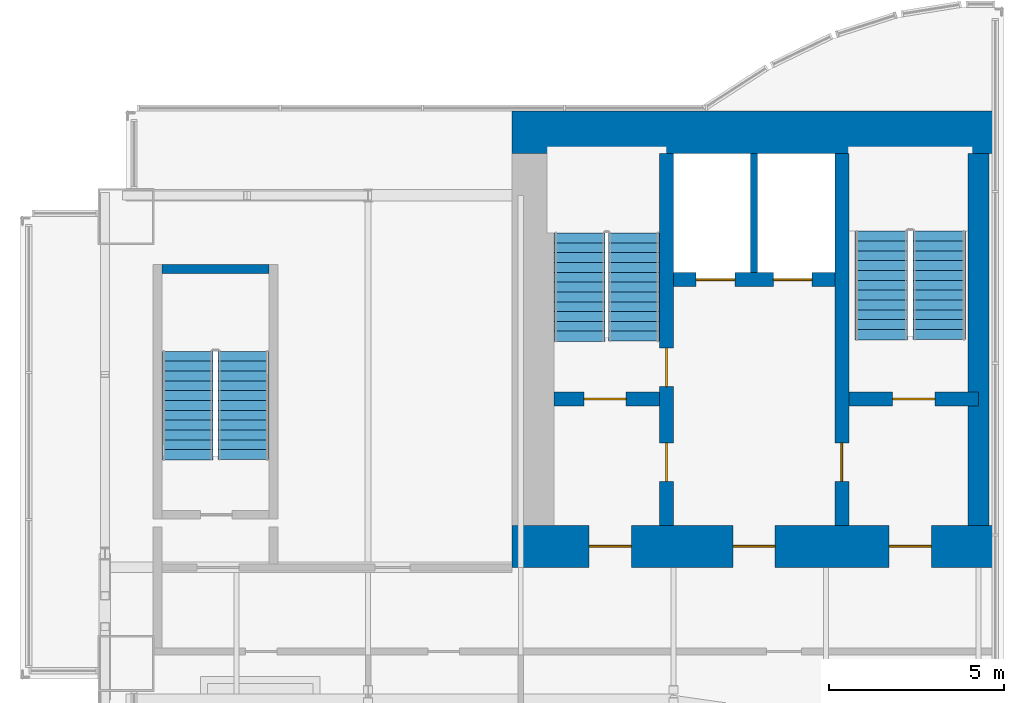
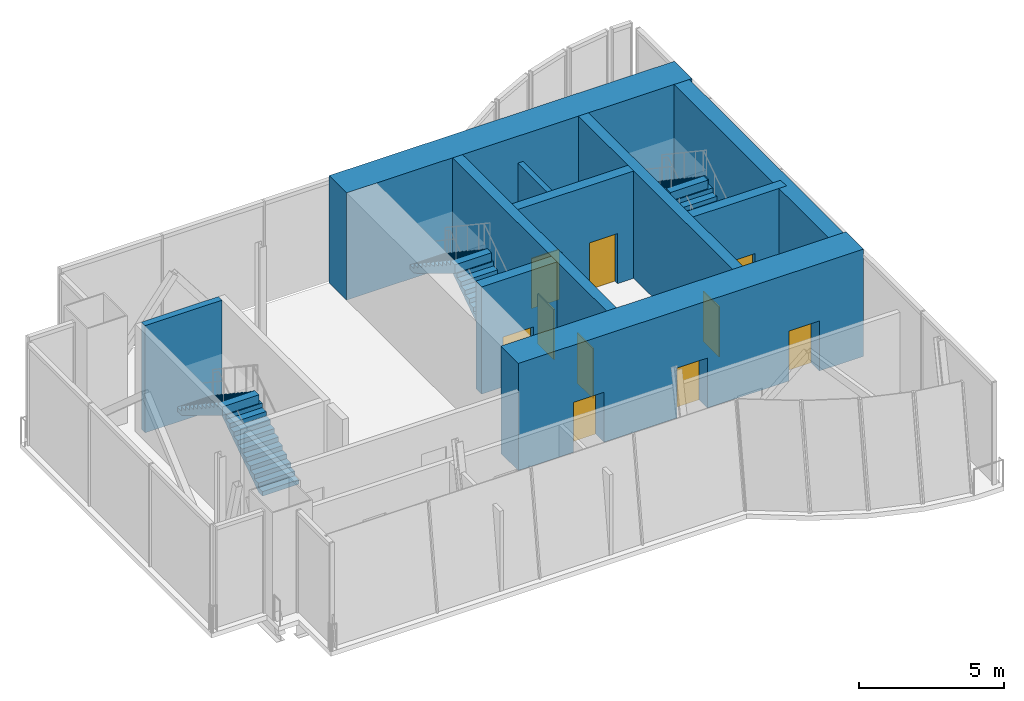
# One storey, part 4 of 6: 10 doors, 10 walls, 6 stair flights, 10 openings, 3 elements without a shape of their own.
"""IFC4 building model written with IfcOpenShell, lengths in metres."""

import ifcopenshell
import ifcopenshell.guid

model = None  # the IFC model being written
_history = None  # IfcOwnerHistory: only IFC2X3 demands one
_inside = {}  # id of a spatial element -> (the spatial element, [elements in it])
_under = {}  # id of a project, library or spatial element -> (it, [spatial elements below it])
_declared = {}  # id of a project -> (the project, [libraries it declares])
_typed = {}  # id of a type object -> (the type object, [elements of that type])
_made_of = {}  # id of a material, layer set ... -> (it, [elements and type objects made of it])


def new_model(schema):
    """Start an empty IFC model of exactly this schema.

    Asked for "IFC4X3", IfcOpenShell would pick the latest addendum, in which some entities
    have other attributes; the version numbers below select the first issue.
    IFC2X3 requires an IfcOwnerHistory on every rooted entity: one is made here for all.
    """
    global model, _history
    if schema == "IFC4X3":
        model = ifcopenshell.file(schema_version=(4, 3, 0, 0))
    else:
        model = ifcopenshell.file(schema=schema)
    _inside.clear()
    _under.clear()
    _declared.clear()
    _typed.clear()
    _made_of.clear()
    _history = None
    if model.schema == "IFC2X3":
        org = make("IfcOrganization", Name="unknown")
        user = make(
            "IfcPersonAndOrganization",
            ThePerson=make("IfcPerson", FamilyName="unknown"),
            TheOrganization=org,
        )
        app = make(
            "IfcApplication",
            ApplicationDeveloper=org,
            Version="unknown",
            ApplicationFullName="unknown",
            ApplicationIdentifier="unknown",
        )
        _history = make(
            "IfcOwnerHistory",
            OwningUser=user,
            OwningApplication=app,
            ChangeAction="ADDED",
            CreationDate=0,
        )
    return model


def make(cls, **values):
    """One entity of the class cls with the attributes given. An attribute that is None is left unset."""
    return model.create_entity(
        cls, **{name: value for name, value in values.items() if value is not None}
    )


def rooted(cls, **values):
    """An entity with a GlobalId (a new one), such as an element, a storey or a relation."""
    return make(cls, GlobalId=ifcopenshell.guid.new(), OwnerHistory=_history, **values)


def si_unit(unit_type, name, prefix=None):
    """IfcSIUnit, for example si_unit("LENGTHUNIT", "METRE", prefix="MILLI")."""
    return make("IfcSIUnit", UnitType=unit_type, Prefix=prefix, Name=name)


def assignment(units):
    """IfcUnitAssignment: the units of a project."""
    return None if units is None else make("IfcUnitAssignment", Units=units)


def point(xyz):
    """IfcCartesianPoint."""
    return None if xyz is None else make("IfcCartesianPoint", Coordinates=xyz)


def direction(xyz):
    """IfcDirection."""
    return None if xyz is None else make("IfcDirection", DirectionRatios=xyz)


def frame(location, z_axis=None, x_axis=None):
    """IfcAxis2Placement3D, a coordinate frame: its origin and axes. An axis left out is left unset."""
    return make(
        "IfcAxis2Placement3D",
        Location=point(location),
        Axis=direction(z_axis),
        RefDirection=direction(x_axis),
    )


def frame_2d(location, x_axis=None):
    """IfcAxis2Placement2D, a coordinate frame in the plane: its origin and x axis."""
    return make(
        "IfcAxis2Placement2D", Location=point(location), RefDirection=direction(x_axis)
    )


def origin():
    """The frame at (0, 0, 0) with its axes left unset."""
    return frame((0.0, 0.0, 0.0))


def place(relative_to, where):
    """IfcLocalPlacement: puts the frame where relative to a parent placement (None: the world)."""
    return make(
        "IfcLocalPlacement", PlacementRelTo=relative_to, RelativePlacement=where
    )


def context(
    kind, dimensions, precision=None, world=None, true_north=None, identifier=None
):
    """IfcGeometricRepresentationContext, for example the 3D "Model" context."""
    return make(
        "IfcGeometricRepresentationContext",
        ContextIdentifier=identifier,
        ContextType=kind,
        CoordinateSpaceDimension=dimensions,
        Precision=precision,
        WorldCoordinateSystem=world,
        TrueNorth=true_north,
    )


def subcontext(parent, identifier, kind, view, scale=None):
    """IfcGeometricRepresentationSubContext, for example "Body" below "Model"."""
    return make(
        "IfcGeometricRepresentationSubContext",
        ContextIdentifier=identifier,
        ContextType=kind,
        ParentContext=parent,
        TargetScale=scale,
        TargetView=view,
    )


def project(units=None, contexts=None):
    """IfcProject with its units and contexts."""
    return rooted(
        "IfcProject",
        Name="project",
        RepresentationContexts=contexts,
        UnitsInContext=assignment(units),
    )


def spatial(cls, under=None, at=None, **own):
    """A site, building, storey or space (cls), placed at a placement, below another one or the project."""
    s = rooted(cls, ObjectPlacement=at, **own)
    if under is not None:
        _under.setdefault(under.id(), (under, []))[1].append(s)
    return s


def polyline(points):
    """IfcPolyline through the points."""
    return make("IfcPolyline", Points=[point(p) for p in points])


def profile(cls, at=None, kind="AREA", **sizes):
    """A parametric profile (cls). Its sizes go by their IFC names, for example OverallWidth=200.0."""
    return make(cls, ProfileType=kind, Position=at, **sizes)


def rectangle(**sizes):
    """IfcRectangleProfileDef."""
    return profile("IfcRectangleProfileDef", **sizes)


def outline(outer, holes=None, kind="AREA"):
    """IfcArbitraryClosedProfileDef: a profile drawn as a closed curve; with holes, ...WithVoids."""
    if holes is None:
        return make("IfcArbitraryClosedProfileDef", ProfileType=kind, OuterCurve=outer)
    return make(
        "IfcArbitraryProfileDefWithVoids",
        ProfileType=kind,
        OuterCurve=outer,
        InnerCurves=holes,
    )


def extrude(swept, where, along, depth):
    """IfcExtrudedAreaSolid: the profile swept, set in the frame where, extruded along a direction by depth."""
    return make(
        "IfcExtrudedAreaSolid",
        SweptArea=swept,
        Position=where,
        ExtrudedDirection=direction(along),
        Depth=depth,
    )


def shape(context_of_items, identifier, shape_type, items):
    """IfcShapeRepresentation: the items that make up one representation, for example the "Body"."""
    return make(
        "IfcShapeRepresentation",
        ContextOfItems=context_of_items,
        RepresentationIdentifier=identifier,
        RepresentationType=shape_type,
        Items=items,
    )


def material(Name=None, Category=None):
    """IfcMaterial."""
    return make("IfcMaterial", Name=Name, Category=Category)


def layer(
    of_material, thickness, ventilated=None, Name=None, Category=None, Priority=None
):
    """IfcMaterialLayer: one layer of a wall or slab, of a material (None: an air gap)."""
    return make(
        "IfcMaterialLayer",
        Material=of_material,
        LayerThickness=thickness,
        IsVentilated=ventilated,
        Name=Name,
        Category=Category,
        Priority=Priority,
    )


def layer_set(layers, Name=None):
    """IfcMaterialLayerSet."""
    return make("IfcMaterialLayerSet", MaterialLayers=layers, LayerSetName=Name)


def made_of(thing, what):
    """Note that an element or type object is made of a material, layer set ...; save() writes the relation."""
    if what is not None:
        _made_of.setdefault(what.id(), (what, []))[1].append(thing)
    return thing


def type_object(cls, material=None, **own):
    """A type object (cls), such as IfcWallType, which elements share."""
    return made_of(rooted(cls, **own), material)


def element(
    cls,
    number,
    at=None,
    inside=None,
    cuts=None,
    type_object=None,
    material=None,
    context=None,
    identifier="Body",
    shape_type=None,
    held_by="IfcProductDefinitionShape",
    body=None,
    shapes=None,
    **own,
):
    """One element of the class cls, such as IfcWall. Its Tag is "e" and its number.

    at: its placement. inside: the storey or other place that contains it. cuts: it is an
    opening in that element (IfcRelVoidsElement). A single representation is given by context,
    identifier, shape_type and body (its items); several are given by shapes. held_by: the class
    of the entity that holds the representations. save() writes the other relations.
    """
    e = rooted(cls, Tag="e%d" % number, ObjectPlacement=at, **own)
    if body is not None:
        shapes = [shape(context, identifier, shape_type, body)]
    if shapes is not None:
        e.Representation = make(held_by, Representations=shapes)
    if inside is not None:
        _inside.setdefault(inside.id(), (inside, []))[1].append(e)
    if cuts is not None:
        rooted(
            "IfcRelVoidsElement", RelatingBuildingElement=cuts, RelatedOpeningElement=e
        )
    if type_object is not None:
        _typed.setdefault(type_object.id(), (type_object, []))[1].append(e)
    return made_of(e, material)


def fill(opening, filler):
    """IfcRelFillsElement: the door or window that sits in an opening."""
    return rooted(
        "IfcRelFillsElement",
        RelatingOpeningElement=opening,
        RelatedBuildingElement=filler,
    )


def aggregate(whole, parts):
    """IfcRelAggregates: a whole, such as a stair, and the parts it consists of."""
    return rooted("IfcRelAggregates", RelatingObject=whole, RelatedObjects=parts)


def save(model, path):
    """Write the relations noted so far, then the file.

    IfcRelAggregates (storeys below a building ...), IfcRelContainedInSpatialStructure (elements
    in a storey), IfcRelDefinesByType, IfcRelAssociatesMaterial and IfcRelDeclares: one each for
    every whole, place, type object, material and project.
    """
    for whole, parts in _under.values():
        aggregate(whole, parts)
    for where, things in _inside.values():
        rooted(
            "IfcRelContainedInSpatialStructure",
            RelatedElements=things,
            RelatingStructure=where,
        )
    for kind, things in _typed.values():
        rooted("IfcRelDefinesByType", RelatedObjects=things, RelatingType=kind)
    for what, things in _made_of.values():
        rooted("IfcRelAssociatesMaterial", RelatedObjects=things, RelatingMaterial=what)
    for by, libraries in _declared.values():
        rooted("IfcRelDeclares", RelatingContext=by, RelatedDefinitions=libraries)
    model.write(path)


model = new_model("IFC4")

# Units and contexts
model_context = context("Model", 3, precision=1e-05, world=origin(), true_north=direction((0.0, 1.0)))
body_context = subcontext(model_context, "Body", "Model", "MODEL_VIEW")
ifc_project = project(units=[si_unit("LENGTHUNIT", "METRE"), si_unit("AREAUNIT", "SQUARE_METRE"), si_unit("VOLUMEUNIT", "CUBIC_METRE"), si_unit("PLANEANGLEUNIT", "RADIAN"), si_unit("MASSUNIT", "GRAM", prefix="KILO")], contexts=[model_context])

# Site, building, storey
site_placement = place(None, origin())
site = spatial("IfcSite", under=ifc_project, at=site_placement, CompositionType="ELEMENT")
building_placement = place(site_placement, origin())
building = spatial("IfcBuilding", under=site, at=building_placement, Name="Bicima Exchange Tower", CompositionType="ELEMENT")
storey_placement = place(building_placement, frame((0.0, 0.0, 374.89990234375)))
storey = spatial("IfcBuildingStorey", under=building, at=storey_placement, Name="L84", CompositionType="ELEMENT", Elevation=374.89990234375)

# Walls
ifc_material_1 = material(Name="Gypsum board partition")
ifc_layer_1 = layer(ifc_material_1, 0.199951171875)
ifc_layer_set_1 = layer_set([ifc_layer_1], Name="Gypsum board partition")
wall_type_1 = type_object("IfcWallType", Name="Fire-rated gypsum partition 200 EI120", PredefinedType="PARTITIONING", material=ifc_layer_set_1)
wall_1_placement = place(storey_placement, frame((-15.10009765625, -4.60009765625, 0.0), z_axis=(0.0, 0.0, 1.0), x_axis=(0.0, 1.0, 0.0)))
element("IfcWall", 1, at=wall_1_placement, inside=storey, type_object=wall_type_1, Name="partition wall 5", PredefinedType="PARTITIONING", context=body_context, shape_type="SweptSolid", body=[
    extrude(rectangle(XDim=3.400146484375, YDim=0.199951171875, at=frame_2d((1.7001953125, 0.0))), origin(), (0.0, 0.0, 1.0), 3.368408203125),
])
ifc_material_2 = material(Name="Concrete C40/50", Category="concrete")
ifc_layer_2 = layer(ifc_material_2, 1.199951171875)
ifc_layer_set_2 = layer_set([ifc_layer_2], Name="Concrete C40/50")
wall_type_2 = type_object("IfcWallType", Name="RC core wall 1200 C40/50", PredefinedType="SHEAR", material=ifc_layer_set_2)
wall_2_placement = place(storey_placement, frame((-22.0, -0.60009765625, 0.0), z_axis=(0.0, 0.0, 1.0), x_axis=(1.0, 0.0, 0.0)))
element("IfcWall", 2, at=wall_2_placement, inside=storey, type_object=wall_type_2, Name="Core wall north-W", PredefinedType="SHEAR", context=body_context, shape_type="SweptSolid", body=[
    extrude(rectangle(XDim=13.699951171875, YDim=1.199951171875, at=frame_2d((6.85009765625, 0.0))), origin(), (0.0, 0.0, 1.0), 4.5),
])

# Wall, openings, doors
wall_3_placement = place(storey_placement, frame((-22.0, -12.39990234375, 0.0), z_axis=(0.0, 0.0, 1.0), x_axis=(1.0, 0.0, 0.0)))
wall_3 = element("IfcWall", 3, at=wall_3_placement, inside=storey, type_object=wall_type_2, Name="Core wall south-W", PredefinedType="SHEAR", context=body_context, shape_type="SweptSolid", body=[
    extrude(rectangle(XDim=13.699951171875, YDim=1.199951171875, at=frame_2d((6.85009765625, 0.0))), origin(), (0.0, 0.0, 1.0), 4.5),
])
opening_1_placement = place(wall_3_placement, frame((2.199951171875, 0.0, 0.0)))
opening_1 = element("IfcOpeningElement", 4, at=opening_1_placement, cuts=wall_3, Name="Opening L84-C06", PredefinedType="OPENING", context=body_context, shape_type="SweptSolid", body=[
    extrude(rectangle(XDim=1.199951171875, YDim=2.10009765625, at=frame_2d((0.60009765625, 1.050048828125))), frame((0.0, 0.61181640625, 0.0), z_axis=(0.0, -1.0, 0.0), x_axis=(1.0, 0.0, 0.0)), (0.0, 0.0, 1.0), 1.223876953125),
])
opening_2_placement = place(wall_3_placement, frame((10.75, 0.0, 0.0)))
opening_2 = element("IfcOpeningElement", 5, at=opening_2_placement, cuts=wall_3, Name="Opening L84-C07", PredefinedType="OPENING", context=body_context, shape_type="SweptSolid", body=[
    extrude(rectangle(XDim=1.199951171875, YDim=2.10009765625, at=frame_2d((0.60009765625, 1.050048828125))), frame((0.0, 0.61181640625, 0.0), z_axis=(0.0, -1.0, 0.0), x_axis=(1.0, 0.0, 0.0)), (0.0, 0.0, 1.0), 1.223876953125),
])
opening_3_placement = place(wall_3_placement, frame((6.300048828125, 0.0, 0.0)))
opening_3 = element("IfcOpeningElement", 6, at=opening_3_placement, cuts=wall_3, Name="Opening L84-C08", PredefinedType="OPENING", context=body_context, shape_type="SweptSolid", body=[
    extrude(rectangle(XDim=1.199951171875, YDim=2.10009765625, at=frame_2d((0.60009765625, 1.050048828125))), frame((0.0, 0.61181640625, 0.0), z_axis=(0.0, -1.0, 0.0), x_axis=(1.0, 0.0, 0.0)), (0.0, 0.0, 1.0), 1.223876953125),
])
ifc_material_3 = material(Name="Steel fire door leaf", Category="steel")
door_type_1 = type_object("IfcDoorType", Name="Door 1200 swing FD60S", OperationType="SINGLE_SWING_LEFT", PredefinedType="DOOR", material=ifc_material_3)
door_1_placement = place(opening_1_placement, frame((1.199951171875, 0.0, 0.0), z_axis=(0.0, 0.0, 1.0), x_axis=(-1.0, 0.0, 0.0)))
door_1 = element("IfcDoor", 7, at=door_1_placement, inside=storey, type_object=door_type_1, Name="Core door", OperationType="SINGLE_SWING_RIGHT", OverallHeight=2.10009765625, OverallWidth=1.199951171875, PredefinedType="DOOR", context=body_context, shape_type="SweptSolid", body=[
    extrude(rectangle(XDim=1.199951171875, YDim=2.10009765625, at=frame_2d((0.60009765625, 1.050048828125))), frame((0.0, 0.02490234375, 0.0), z_axis=(0.0, -1.0, 0.0), x_axis=(1.0, 0.0, 0.0)), (0.0, 0.0, 1.0), 0.050048828125),
])
fill(opening_1, door_1)
door_2_placement = place(opening_2_placement, frame((1.199951171875, 0.0, 0.0), z_axis=(0.0, 0.0, 1.0), x_axis=(-1.0, 0.0, 0.0)))
door_2 = element("IfcDoor", 8, at=door_2_placement, inside=storey, type_object=door_type_1, Name="Core door", OperationType="SINGLE_SWING_RIGHT", OverallHeight=2.10009765625, OverallWidth=1.199951171875, PredefinedType="DOOR", context=body_context, shape_type="SweptSolid", body=[
    extrude(rectangle(XDim=1.199951171875, YDim=2.10009765625, at=frame_2d((0.60009765625, 1.050048828125))), frame((0.0, 0.02490234375, 0.0), z_axis=(0.0, -1.0, 0.0), x_axis=(1.0, 0.0, 0.0)), (0.0, 0.0, 1.0), 0.050048828125),
])
fill(opening_2, door_2)
door_3_placement = place(opening_3_placement, frame((1.199951171875, 0.0, 0.0), z_axis=(0.0, 0.0, 1.0), x_axis=(-1.0, 0.0, 0.0)))
door_3 = element("IfcDoor", 9, at=door_3_placement, inside=storey, type_object=door_type_1, Name="Core door", OperationType="SINGLE_SWING_RIGHT", OverallHeight=2.10009765625, OverallWidth=1.199951171875, PredefinedType="DOOR", context=body_context, shape_type="SweptSolid", body=[
    extrude(rectangle(XDim=1.199951171875, YDim=2.10009765625, at=frame_2d((0.60009765625, 1.050048828125))), frame((0.0, 0.02490234375, 0.0), z_axis=(0.0, -1.0, 0.0), x_axis=(1.0, 0.0, 0.0)), (0.0, 0.0, 1.0), 0.050048828125),
])
fill(opening_3, door_3)

ifc_layer_3 = layer(ifc_material_2, 0.39990234375)
ifc_layer_set_3 = layer_set([ifc_layer_3], Name="Concrete C40/50")
wall_type_3 = type_object("IfcWallType", Name="RC core wall 400 C40/50", PredefinedType="SHEAR", material=ifc_layer_set_3)
wall_4_placement = place(storey_placement, frame((-17.39990234375, -4.800048828125, 0.0), z_axis=(0.0, 0.0, 1.0), x_axis=(1.0, 0.0, 0.0)))
wall_4 = element("IfcWall", 10, at=wall_4_placement, inside=storey, type_object=wall_type_3, Name="shear wall 3", PredefinedType="SHEAR", context=body_context, shape_type="SweptSolid", body=[
    extrude(rectangle(XDim=4.599853515625, YDim=0.39990234375, at=frame_2d((2.2998046875, 0.0))), origin(), (0.0, 0.0, 1.0), 4.5),
])
opening_4_placement = place(wall_4_placement, frame((0.64990234375, 0.0, 0.0)))
opening_4 = element("IfcOpeningElement", 11, at=opening_4_placement, cuts=wall_4, Name="Opening LD-FF1-L84", PredefinedType="OPENING", context=body_context, shape_type="SweptSolid", body=[
    extrude(rectangle(XDim=1.10009765625, YDim=2.10009765625, at=frame_2d((0.550048828125, 1.050048828125))), frame((0.0, 0.2119140625, 0.0), z_axis=(0.0, -1.0, 0.0), x_axis=(1.0, 0.0, 0.0)), (0.0, 0.0, 1.0), 0.423828125),
])
opening_5_placement = place(wall_4_placement, frame((2.85009765625, 0.0, 0.0)))
opening_5 = element("IfcOpeningElement", 12, at=opening_5_placement, cuts=wall_4, Name="Opening LD-FF3-L84", PredefinedType="OPENING", context=body_context, shape_type="SweptSolid", body=[
    extrude(rectangle(XDim=1.10009765625, YDim=2.10009765625, at=frame_2d((0.550048828125, 1.050048828125))), frame((0.0, 0.2119140625, 0.0), z_axis=(0.0, -1.0, 0.0), x_axis=(1.0, 0.0, 0.0)), (0.0, 0.0, 1.0), 0.423828125),
])
ifc_material_4 = material(Name="Stainless steel", Category="steel")
door_type_2 = type_object("IfcDoorType", Name="Lift landing door 1100 sliding", OperationType="DOUBLE_DOOR_SLIDING", PredefinedType="DOOR", material=ifc_material_4)
door_4_placement = place(opening_4_placement, origin())
door_4 = element("IfcDoor", 13, at=door_4_placement, inside=storey, type_object=door_type_2, Name="Lift landing door FF1", OperationType="DOUBLE_DOOR_SLIDING", OverallHeight=2.10009765625, OverallWidth=1.10009765625, PredefinedType="DOOR", context=body_context, shape_type="SweptSolid", body=[
    extrude(rectangle(XDim=1.10009765625, YDim=2.10009765625, at=frame_2d((0.550048828125, 1.050048828125))), frame((0.0, 0.02490234375, 0.0), z_axis=(0.0, -1.0, 0.0), x_axis=(1.0, 0.0, 0.0)), (0.0, 0.0, 1.0), 0.050048828125),
])
fill(opening_4, door_4)
door_5_placement = place(opening_5_placement, origin())
door_5 = element("IfcDoor", 14, at=door_5_placement, inside=storey, type_object=door_type_2, Name="Lift landing door FF3", OperationType="DOUBLE_DOOR_SLIDING", OverallHeight=2.10009765625, OverallWidth=1.10009765625, PredefinedType="DOOR", context=body_context, shape_type="SweptSolid", body=[
    extrude(rectangle(XDim=1.10009765625, YDim=2.10009765625, at=frame_2d((0.550048828125, 1.050048828125))), frame((0.0, 0.02490234375, 0.0), z_axis=(0.0, -1.0, 0.0), x_axis=(1.0, 0.0, 0.0)), (0.0, 0.0, 1.0), 0.050048828125),
])
fill(opening_5, door_5)

# Wall, opening, door
ifc_material_5 = material(Name="Concrete C50/60", Category="concrete")
ifc_layer_4 = layer(ifc_material_5, 0.39990234375)
ifc_layer_set_4 = layer_set([ifc_layer_4], Name="Concrete C50/60")
wall_type_4 = type_object("IfcWallType", Name="RC core wall 400 C50/60", PredefinedType="SHEAR", material=ifc_layer_set_4)
wall_5_placement = place(storey_placement, frame((-20.800048828125, -8.199951171875, 0.0), z_axis=(0.0, 0.0, 1.0), x_axis=(1.0, 0.0, 0.0)))
wall_5 = element("IfcWall", 15, at=wall_5_placement, inside=storey, type_object=wall_type_4, Name="stair wall 1", PredefinedType="SHEAR", context=body_context, shape_type="SweptSolid", body=[
    extrude(rectangle(XDim=3.0, YDim=0.39990234375, at=frame_2d((1.5, 0.0))), origin(), (0.0, 0.0, 1.0), 4.5),
])
opening_6_placement = place(wall_5_placement, frame((0.85009765625, 0.0, 0.0)))
opening_6 = element("IfcOpeningElement", 16, at=opening_6_placement, cuts=wall_5, Name="Opening L84-C01", PredefinedType="OPENING", context=body_context, shape_type="SweptSolid", body=[
    extrude(rectangle(XDim=1.199951171875, YDim=2.10009765625, at=frame_2d((0.60009765625, 1.050048828125))), frame((0.0, 0.2119140625, 0.0), z_axis=(0.0, -1.0, 0.0), x_axis=(1.0, 0.0, 0.0)), (0.0, 0.0, 1.0), 0.423828125),
])
door_6_placement = place(opening_6_placement, origin())
door_6 = element("IfcDoor", 17, at=door_6_placement, inside=storey, type_object=door_type_1, Name="Core door", OperationType="SINGLE_SWING_LEFT", OverallHeight=2.10009765625, OverallWidth=1.199951171875, PredefinedType="DOOR", context=body_context, shape_type="SweptSolid", body=[
    extrude(rectangle(XDim=1.199951171875, YDim=2.10009765625, at=frame_2d((0.60009765625, 1.050048828125))), frame((0.0, 0.02490234375, 0.0), z_axis=(0.0, -1.0, 0.0), x_axis=(1.0, 0.0, 0.0)), (0.0, 0.0, 1.0), 0.050048828125),
])
fill(opening_6, door_6)

wall_6_placement = place(storey_placement, frame((-12.39990234375, -8.199951171875, 0.0), z_axis=(0.0, 0.0, 1.0), x_axis=(1.0, 0.0, 0.0)))
wall_6 = element("IfcWall", 18, at=wall_6_placement, inside=storey, type_object=wall_type_4, Name="stair wall 2", PredefinedType="SHEAR", context=body_context, shape_type="SweptSolid", body=[
    extrude(rectangle(XDim=3.699951171875, YDim=0.39990234375, at=frame_2d((1.85009765625, 0.0))), origin(), (0.0, 0.0, 1.0), 4.5),
])
opening_7_placement = place(wall_6_placement, frame((1.25, 0.0, 0.0)))
opening_7 = element("IfcOpeningElement", 19, at=opening_7_placement, cuts=wall_6, Name="Opening L84-C03", PredefinedType="OPENING", context=body_context, shape_type="SweptSolid", body=[
    extrude(rectangle(XDim=1.199951171875, YDim=2.10009765625, at=frame_2d((0.60009765625, 1.050048828125))), frame((0.0, 0.2119140625, 0.0), z_axis=(0.0, -1.0, 0.0), x_axis=(1.0, 0.0, 0.0)), (0.0, 0.0, 1.0), 0.423828125),
])
door_7_placement = place(opening_7_placement, origin())
door_7 = element("IfcDoor", 20, at=door_7_placement, inside=storey, type_object=door_type_1, Name="Core door", OperationType="SINGLE_SWING_LEFT", OverallHeight=2.10009765625, OverallWidth=1.199951171875, PredefinedType="DOOR", context=body_context, shape_type="SweptSolid", body=[
    extrude(rectangle(XDim=1.199951171875, YDim=2.10009765625, at=frame_2d((0.60009765625, 1.050048828125))), frame((0.0, 0.02490234375, 0.0), z_axis=(0.0, -1.0, 0.0), x_axis=(1.0, 0.0, 0.0)), (0.0, 0.0, 1.0), 0.050048828125),
])
fill(opening_7, door_7)

# Wall, openings, doors
wall_7_placement = place(storey_placement, frame((-17.60009765625, -11.800048828125, 0.0), z_axis=(0.0, 0.0, 1.0), x_axis=(0.0, 1.0, 0.0)))
wall_7 = element("IfcWall", 21, at=wall_7_placement, inside=storey, type_object=wall_type_4, Name="stair wall 4", PredefinedType="SHEAR", context=body_context, shape_type="SweptSolid", body=[
    extrude(rectangle(XDim=10.60009765625, YDim=0.39990234375, at=frame_2d((5.300048828125, 0.0))), origin(), (0.0, 0.0, 1.0), 4.5),
])
opening_8_placement = place(wall_7_placement, frame((1.25, 0.0, 0.0)))
opening_8 = element("IfcOpeningElement", 22, at=opening_8_placement, cuts=wall_7, Name="Opening L84-C02", PredefinedType="OPENING", context=body_context, shape_type="SweptSolid", body=[
    extrude(rectangle(XDim=1.10009765625, YDim=2.10009765625, at=frame_2d((0.550048828125, 1.050048828125))), frame((0.0, 0.2119140625, 0.0), z_axis=(0.0, -1.0, 0.0), x_axis=(1.0, 0.0, 0.0)), (0.0, 0.0, 1.0), 0.423828125),
])
opening_9_placement = place(wall_7_placement, frame((3.949951171875, 0.0, 0.0)))
opening_9 = element("IfcOpeningElement", 23, at=opening_9_placement, cuts=wall_7, Name="Opening L84-C05", PredefinedType="OPENING", context=body_context, shape_type="SweptSolid", body=[
    extrude(rectangle(XDim=1.10009765625, YDim=2.10009765625, at=frame_2d((0.550048828125, 1.050048828125))), frame((0.0, 0.2119140625, 0.0), z_axis=(0.0, -1.0, 0.0), x_axis=(1.0, 0.0, 0.0)), (0.0, 0.0, 1.0), 0.423828125),
])
door_type_3 = type_object("IfcDoorType", Name="Door 1100 swing FD60S", OperationType="SINGLE_SWING_LEFT", PredefinedType="DOOR", material=ifc_material_3)
door_8_placement = place(opening_8_placement, frame((1.10009765625, 0.0, 0.0), z_axis=(0.0, 0.0, 1.0), x_axis=(-1.0, 0.0, 0.0)))
door_8 = element("IfcDoor", 24, at=door_8_placement, inside=storey, type_object=door_type_3, Name="Core door", OperationType="SINGLE_SWING_LEFT", OverallHeight=2.10009765625, OverallWidth=1.10009765625, PredefinedType="DOOR", context=body_context, shape_type="SweptSolid", body=[
    extrude(rectangle(XDim=1.10009765625, YDim=2.10009765625, at=frame_2d((0.550048828125, 1.050048828125))), frame((0.0, 0.02490234375, 0.0), z_axis=(0.0, -1.0, 0.0), x_axis=(1.0, 0.0, 0.0)), (0.0, 0.0, 1.0), 0.050048828125),
])
fill(opening_8, door_8)
door_9_placement = place(opening_9_placement, frame((1.10009765625, 0.0, 0.0), z_axis=(0.0, 0.0, 1.0), x_axis=(-1.0, 0.0, 0.0)))
door_9 = element("IfcDoor", 25, at=door_9_placement, inside=storey, type_object=door_type_3, Name="Core door", OperationType="SINGLE_SWING_RIGHT", OverallHeight=2.10009765625, OverallWidth=1.10009765625, PredefinedType="DOOR", context=body_context, shape_type="SweptSolid", body=[
    extrude(rectangle(XDim=1.10009765625, YDim=2.10009765625, at=frame_2d((0.550048828125, 1.050048828125))), frame((0.0, 0.02490234375, 0.0), z_axis=(0.0, -1.0, 0.0), x_axis=(1.0, 0.0, 0.0)), (0.0, 0.0, 1.0), 0.050048828125),
])
fill(opening_9, door_9)

# Wall, opening, door
wall_8_placement = place(storey_placement, frame((-12.60009765625, -11.800048828125, 0.0), z_axis=(0.0, 0.0, 1.0), x_axis=(0.0, 1.0, 0.0)))
wall_8 = element("IfcWall", 26, at=wall_8_placement, inside=storey, type_object=wall_type_4, Name="stair wall 6", PredefinedType="SHEAR", context=body_context, shape_type="SweptSolid", body=[
    extrude(rectangle(XDim=10.60009765625, YDim=0.39990234375, at=frame_2d((5.300048828125, 0.0))), origin(), (0.0, 0.0, 1.0), 4.5),
])
opening_10_placement = place(wall_8_placement, frame((1.25, 0.0, 0.0)))
opening_10 = element("IfcOpeningElement", 27, at=opening_10_placement, cuts=wall_8, Name="Opening L84-C04", PredefinedType="OPENING", context=body_context, shape_type="SweptSolid", body=[
    extrude(rectangle(XDim=1.10009765625, YDim=2.10009765625, at=frame_2d((0.550048828125, 1.050048828125))), frame((0.0, 0.2119140625, 0.0), z_axis=(0.0, -1.0, 0.0), x_axis=(1.0, 0.0, 0.0)), (0.0, 0.0, 1.0), 0.423828125),
])
door_10_placement = place(opening_10_placement, origin())
door_10 = element("IfcDoor", 28, at=door_10_placement, inside=storey, type_object=door_type_3, Name="Core door", OperationType="SINGLE_SWING_RIGHT", OverallHeight=2.10009765625, OverallWidth=1.10009765625, PredefinedType="DOOR", context=body_context, shape_type="SweptSolid", body=[
    extrude(rectangle(XDim=1.10009765625, YDim=2.10009765625, at=frame_2d((0.550048828125, 1.050048828125))), frame((0.0, 0.02490234375, 0.0), z_axis=(0.0, -1.0, 0.0), x_axis=(1.0, 0.0, 0.0)), (0.0, 0.0, 1.0), 0.050048828125),
])
fill(opening_10, door_10)

# Walls
ifc_layer_5 = layer(ifc_material_2, 0.60009765625)
ifc_layer_set_5 = layer_set([ifc_layer_5], Name="Concrete C40/50")
wall_type_5 = type_object("IfcWallType", Name="RC core wall 600 C40/50", PredefinedType="SHEAR", material=ifc_layer_set_5)
wall_9_placement = place(storey_placement, frame((-8.699951171875, -11.800048828125, 0.0), z_axis=(0.0, 0.0, 1.0), x_axis=(0.0, 1.0, 0.0)))
element("IfcWall", 29, at=wall_9_placement, inside=storey, type_object=wall_type_5, Name="Core wall close-W", PredefinedType="SHEAR", context=body_context, shape_type="SweptSolid", body=[
    extrude(rectangle(XDim=10.60009765625, YDim=0.60009765625, at=frame_2d((5.300048828125, 0.0))), origin(), (0.0, 0.0, 1.0), 4.5),
])
ifc_layer_6 = layer(ifc_material_5, 0.25)
ifc_layer_set_6 = layer_set([ifc_layer_6], Name="Concrete C50/60")
wall_type_6 = type_object("IfcWallType", Name="RC stair enclosure wall 250 C50/60", PredefinedType="SHEAR", material=ifc_layer_set_6)
wall_10_placement = place(storey_placement, frame((-31.97509765625, -4.5, 0.0), z_axis=(0.0, 0.0, 1.0), x_axis=(1.0, 0.0, 0.0)))
element("IfcWall", 30, at=wall_10_placement, inside=storey, type_object=wall_type_6, Name="West end exit stair wall N", PredefinedType="SHEAR", context=body_context, shape_type="SweptSolid", body=[
    extrude(rectangle(XDim=3.050048828125, YDim=0.25, at=frame_2d((1.52490234375, 0.0))), origin(), (0.0, 0.0, 1.0), 4.5),
])

# Stair, stair flights
stair_type_1 = type_object("IfcStairType", Name="Exit stair", PredefinedType="HALF_TURN_STAIR", material=ifc_material_5)
stair_1_placement = place(storey_placement, origin())
stair_1 = element("IfcStair", 31, at=stair_1_placement, inside=storey, type_object=stair_type_1, Name="L84 West exit stair", PredefinedType="HALF_TURN_STAIR")
stair_flight_type_1 = type_object("IfcStairFlightType", Name="Stair flight RC", PredefinedType="STRAIGHT", material=ifc_material_5)
stair_flight_1_placement = place(storey_placement, frame((-18.52490234375, -6.550048828125, 0.0), z_axis=(0.0, 0.0, 1.0), x_axis=(0.0, 1.0, 0.0)))
stair_flight_1 = element("IfcStairFlight", 32, at=stair_flight_1_placement, type_object=stair_flight_type_1, Name="ST-W flight 1", NumberOfRisers=12, NumberOfTreads=11, PredefinedType="STRAIGHT", RiserHeight=0.1875, TreadLength=0.28, context=body_context, shape_type="SweptSolid", body=[
    extrude(outline(polyline([(0.0, 0.0), (0.0, 0.1875), (0.280029296875, 0.1875), (0.280029296875, 0.375), (0.56005859375, 0.375), (0.56005859375, 0.5625), (0.840087890625, 0.5625), (0.840087890625, 0.75), (1.1201171875, 0.75), (1.1201171875, 0.9375), (1.39990234375, 0.9375), (1.39990234375, 1.125), (1.679931640625, 1.125), (1.679931640625, 1.3125), (1.9599609375, 1.3125), (1.9599609375, 1.5), (2.239990234375, 1.5), (2.239990234375, 1.6875), (2.52001953125, 1.6875), (2.52001953125, 1.875), (2.800048828125, 1.875), (2.800048828125, 2.0625), (3.080078125, 2.0625), (3.080078125, 2.25), (3.080078125, 1.882080078125), (0.26953125, 0.0), (0.0, 0.0)])), frame((0.0, 0.72509765625, 0.0), z_axis=(0.0, -1.0, 0.0), x_axis=(1.0, 0.0, 0.0)), (0.0, 0.0, 1.0), 1.449951171875),
])
stair_flight_2_placement = place(storey_placement, frame((-20.074951171875, -3.469970703125, 2.25), z_axis=(0.0, 0.0, 1.0), x_axis=(0.0, -1.0, 0.0)))
stair_flight_2 = element("IfcStairFlight", 33, at=stair_flight_2_placement, type_object=stair_flight_type_1, Name="ST-W flight 2", NumberOfRisers=12, NumberOfTreads=11, PredefinedType="STRAIGHT", RiserHeight=0.1875, TreadLength=0.28, context=body_context, shape_type="SweptSolid", body=[
    extrude(outline(polyline([(0.0, 0.0), (0.0, 0.1875), (0.280029296875, 0.1875), (0.280029296875, 0.375), (0.56005859375, 0.375), (0.56005859375, 0.5625), (0.840087890625, 0.5625), (0.840087890625, 0.75), (1.1201171875, 0.75), (1.1201171875, 0.9375), (1.39990234375, 0.9375), (1.39990234375, 1.125), (1.679931640625, 1.125), (1.679931640625, 1.3125), (1.9599609375, 1.3125), (1.9599609375, 1.5), (2.239990234375, 1.5), (2.239990234375, 1.6875), (2.52001953125, 1.6875), (2.52001953125, 1.875), (2.800048828125, 1.875), (2.800048828125, 2.0625), (3.080078125, 2.0625), (3.094970703125, 2.0625), (3.094970703125, 1.70458984375), (0.26953125, 0.0), (0.0, 0.0)])), frame((0.0, 0.72509765625, 0.0), z_axis=(0.0, -1.0, 0.0), x_axis=(1.0, 0.0, 0.0)), (0.0, 0.0, 1.0), 1.449951171875),
])
aggregate(stair_1, [stair_flight_1, stair_flight_2])

stair_2_placement = place(storey_placement, origin())
stair_2 = element("IfcStair", 34, at=stair_2_placement, inside=storey, type_object=stair_type_1, Name="L84 West end exit stair", PredefinedType="HALF_TURN_STAIR")
stair_flight_3_placement = place(storey_placement, frame((-29.64990234375, -9.925048828125, 0.0), z_axis=(0.0, 0.0, 1.0), x_axis=(0.0, 1.0, 0.0)))
stair_flight_3 = element("IfcStairFlight", 35, at=stair_flight_3_placement, type_object=stair_flight_type_1, Name="ST-WW flight 1", NumberOfRisers=12, NumberOfTreads=11, PredefinedType="STRAIGHT", RiserHeight=0.1875, TreadLength=0.28, context=body_context, shape_type="SweptSolid", body=[
    extrude(outline(polyline([(0.0, 0.0), (0.0, 0.1875), (0.280029296875, 0.1875), (0.280029296875, 0.375), (0.56005859375, 0.375), (0.56005859375, 0.5625), (0.840087890625, 0.5625), (0.840087890625, 0.75), (1.1201171875, 0.75), (1.1201171875, 0.9375), (1.39990234375, 0.9375), (1.39990234375, 1.125), (1.679931640625, 1.125), (1.679931640625, 1.3125), (1.9599609375, 1.3125), (1.9599609375, 1.5), (2.239990234375, 1.5), (2.239990234375, 1.6875), (2.52001953125, 1.6875), (2.52001953125, 1.875), (2.800048828125, 1.875), (2.800048828125, 2.0625), (3.080078125, 2.0625), (3.080078125, 2.25), (3.080078125, 1.882080078125), (0.26953125, 0.0), (0.0, 0.0)])), frame((0.0, 0.72509765625, 0.0), z_axis=(0.0, -1.0, 0.0), x_axis=(1.0, 0.0, 0.0)), (0.0, 0.0, 1.0), 1.449951171875),
])
stair_flight_4_placement = place(storey_placement, frame((-31.25, -6.844970703125, 2.25), z_axis=(0.0, 0.0, 1.0), x_axis=(0.0, -1.0, 0.0)))
stair_flight_4 = element("IfcStairFlight", 36, at=stair_flight_4_placement, type_object=stair_flight_type_1, Name="ST-WW flight 2", NumberOfRisers=12, NumberOfTreads=11, PredefinedType="STRAIGHT", RiserHeight=0.1875, TreadLength=0.28, context=body_context, shape_type="SweptSolid", body=[
    extrude(outline(polyline([(0.0, 0.0), (0.0, 0.1875), (0.280029296875, 0.1875), (0.280029296875, 0.375), (0.56005859375, 0.375), (0.56005859375, 0.5625), (0.840087890625, 0.5625), (0.840087890625, 0.75), (1.1201171875, 0.75), (1.1201171875, 0.9375), (1.39990234375, 0.9375), (1.39990234375, 1.125), (1.679931640625, 1.125), (1.679931640625, 1.3125), (1.9599609375, 1.3125), (1.9599609375, 1.5), (2.239990234375, 1.5), (2.239990234375, 1.6875), (2.52001953125, 1.6875), (2.52001953125, 1.875), (2.800048828125, 1.875), (2.800048828125, 2.0625), (3.080078125, 2.0625), (3.094970703125, 2.0625), (3.094970703125, 1.70458984375), (0.26953125, 0.0), (0.0, 0.0)])), frame((0.0, 0.72509765625, 0.0), z_axis=(0.0, -1.0, 0.0), x_axis=(1.0, 0.0, 0.0)), (0.0, 0.0, 1.0), 1.449951171875),
])
aggregate(stair_2, [stair_flight_3, stair_flight_4])

stair_type_2 = type_object("IfcStairType", Name="Exit stair 1500", PredefinedType="HALF_TURN_STAIR", material=ifc_material_5)
stair_3_placement = place(storey_placement, origin())
stair_3 = element("IfcStair", 37, at=stair_3_placement, inside=storey, type_object=stair_type_2, Name="L84 Crown exit stair", PredefinedType="HALF_TURN_STAIR")
stair_flight_type_2 = type_object("IfcStairFlightType", Name="Stair flight RC 1500", PredefinedType="STRAIGHT", material=ifc_material_5)
stair_flight_5_placement = place(storey_placement, frame((-9.824951171875, -6.5, 0.0), z_axis=(0.0, 0.0, 1.0), x_axis=(0.0, 1.0, 0.0)))
stair_flight_5 = element("IfcStairFlight", 38, at=stair_flight_5_placement, type_object=stair_flight_type_2, Name="ST-CR flight 1", NumberOfRisers=12, NumberOfTreads=11, PredefinedType="STRAIGHT", RiserHeight=0.1875, TreadLength=0.28, context=body_context, shape_type="SweptSolid", body=[
    extrude(outline(polyline([(0.0, 0.0), (0.0, 0.1875), (0.280029296875, 0.1875), (0.280029296875, 0.375), (0.56005859375, 0.375), (0.56005859375, 0.5625), (0.840087890625, 0.5625), (0.840087890625, 0.75), (1.1201171875, 0.75), (1.1201171875, 0.9375), (1.39990234375, 0.9375), (1.39990234375, 1.125), (1.679931640625, 1.125), (1.679931640625, 1.3125), (1.9599609375, 1.3125), (1.9599609375, 1.5), (2.239990234375, 1.5), (2.239990234375, 1.6875), (2.52001953125, 1.6875), (2.52001953125, 1.875), (2.800048828125, 1.875), (2.800048828125, 2.0625), (3.080078125, 2.0625), (3.080078125, 2.25), (3.080078125, 1.882080078125), (0.26953125, 0.0), (0.0, 0.0)])), frame((0.0, 0.75, 0.0), z_axis=(0.0, -1.0, 0.0), x_axis=(1.0, 0.0, 0.0)), (0.0, 0.0, 1.0), 1.5),
])
stair_flight_6_placement = place(storey_placement, frame((-11.47509765625, -3.419921875, 2.25), z_axis=(0.0, 0.0, 1.0), x_axis=(0.0, -1.0, 0.0)))
stair_flight_6 = element("IfcStairFlight", 39, at=stair_flight_6_placement, type_object=stair_flight_type_2, Name="ST-CR flight 2", NumberOfRisers=12, NumberOfTreads=11, PredefinedType="STRAIGHT", RiserHeight=0.1875, TreadLength=0.28, context=body_context, shape_type="SweptSolid", body=[
    extrude(outline(polyline([(0.0, 0.0), (0.0, 0.1875), (0.280029296875, 0.1875), (0.280029296875, 0.375), (0.56005859375, 0.375), (0.56005859375, 0.5625), (0.840087890625, 0.5625), (0.840087890625, 0.75), (1.1201171875, 0.75), (1.1201171875, 0.9375), (1.39990234375, 0.9375), (1.39990234375, 1.125), (1.679931640625, 1.125), (1.679931640625, 1.3125), (1.9599609375, 1.3125), (1.9599609375, 1.5), (2.239990234375, 1.5), (2.239990234375, 1.6875), (2.52001953125, 1.6875), (2.52001953125, 1.875), (2.800048828125, 1.875), (2.800048828125, 2.0625), (3.080078125, 2.0625), (3.094970703125, 2.0625), (3.094970703125, 1.70458984375), (0.26953125, 0.0), (0.0, 0.0)])), frame((0.0, 0.75, 0.0), z_axis=(0.0, -1.0, 0.0), x_axis=(1.0, 0.0, 0.0)), (0.0, 0.0, 1.0), 1.5),
])
aggregate(stair_3, [stair_flight_5, stair_flight_6])

save(model, "model.ifc")
